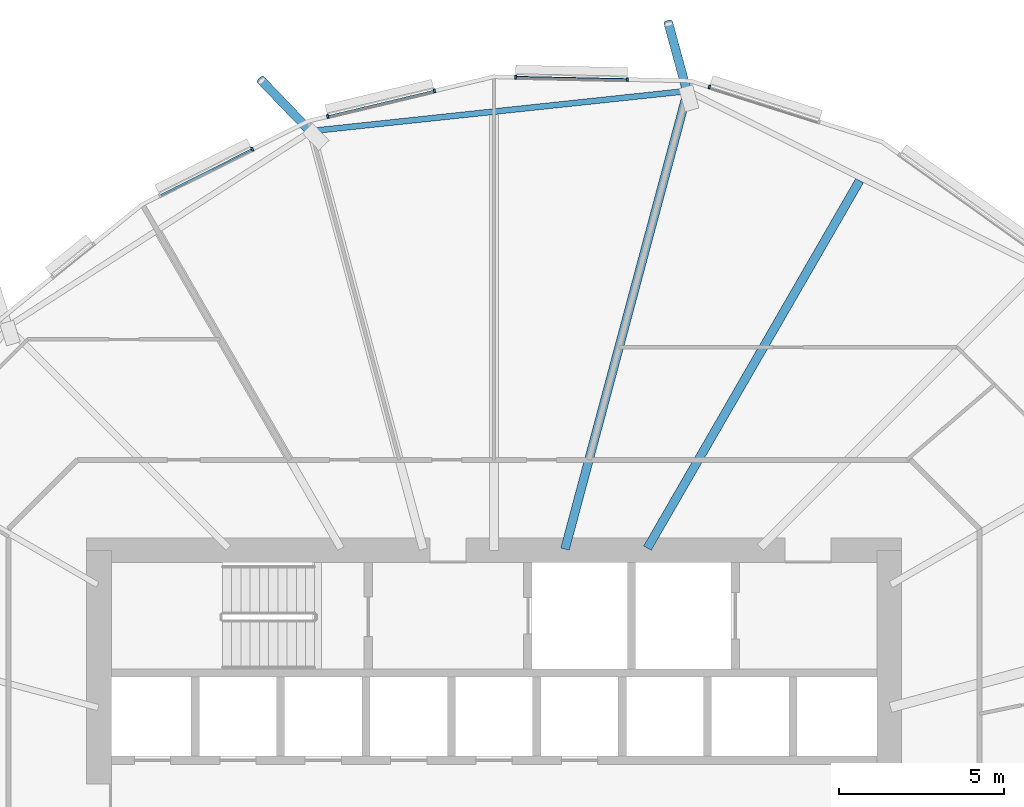
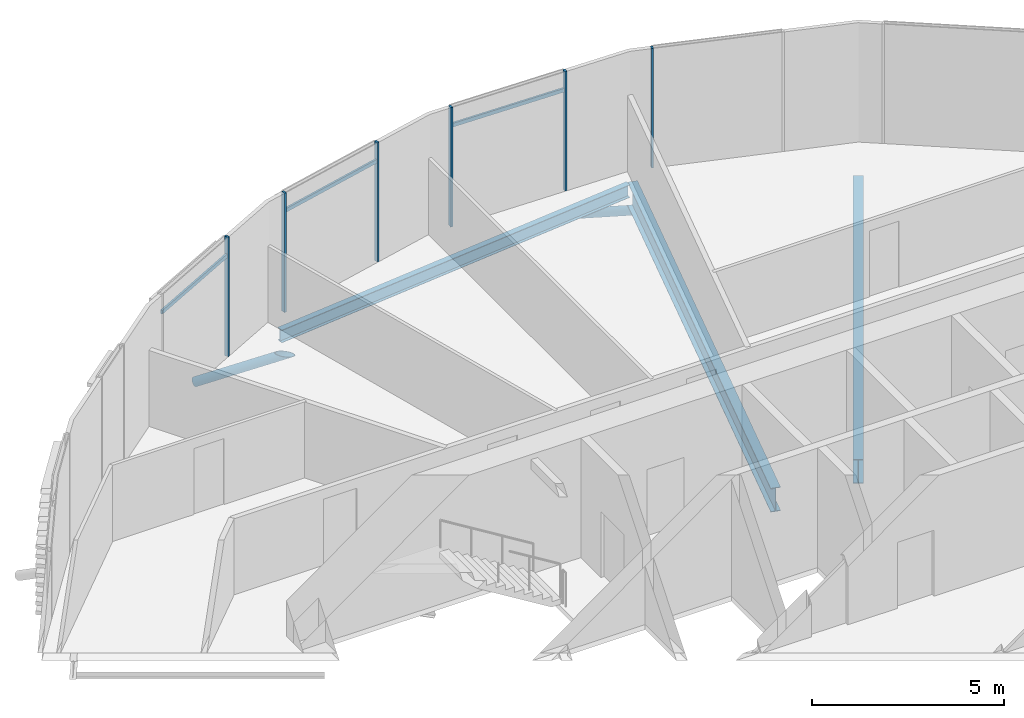
# One storey, part 18 of 43: 11 members, 3 beams, 1 element without a shape of its own.
"""IFC4 building model written with IfcOpenShell, lengths in metres."""

import ifcopenshell
import ifcopenshell.guid

model = None  # the IFC model being written
_history = None  # IfcOwnerHistory: only IFC2X3 demands one
_inside = {}  # id of a spatial element -> (the spatial element, [elements in it])
_under = {}  # id of a project, library or spatial element -> (it, [spatial elements below it])
_declared = {}  # id of a project -> (the project, [libraries it declares])
_typed = {}  # id of a type object -> (the type object, [elements of that type])
_made_of = {}  # id of a material, layer set ... -> (it, [elements and type objects made of it])


def new_model(schema):
    """Start an empty IFC model of exactly this schema.

    Asked for "IFC4X3", IfcOpenShell would pick the latest addendum, in which some entities
    have other attributes; the version numbers below select the first issue.
    IFC2X3 requires an IfcOwnerHistory on every rooted entity: one is made here for all.
    """
    global model, _history
    if schema == "IFC4X3":
        model = ifcopenshell.file(schema_version=(4, 3, 0, 0))
    else:
        model = ifcopenshell.file(schema=schema)
    _inside.clear()
    _under.clear()
    _declared.clear()
    _typed.clear()
    _made_of.clear()
    _history = None
    if model.schema == "IFC2X3":
        org = make("IfcOrganization", Name="unknown")
        user = make(
            "IfcPersonAndOrganization",
            ThePerson=make("IfcPerson", FamilyName="unknown"),
            TheOrganization=org,
        )
        app = make(
            "IfcApplication",
            ApplicationDeveloper=org,
            Version="unknown",
            ApplicationFullName="unknown",
            ApplicationIdentifier="unknown",
        )
        _history = make(
            "IfcOwnerHistory",
            OwningUser=user,
            OwningApplication=app,
            ChangeAction="ADDED",
            CreationDate=0,
        )
    return model


def make(cls, **values):
    """One entity of the class cls with the attributes given. An attribute that is None is left unset."""
    return model.create_entity(
        cls, **{name: value for name, value in values.items() if value is not None}
    )


def rooted(cls, **values):
    """An entity with a GlobalId (a new one), such as an element, a storey or a relation."""
    return make(cls, GlobalId=ifcopenshell.guid.new(), OwnerHistory=_history, **values)


def si_unit(unit_type, name, prefix=None):
    """IfcSIUnit, for example si_unit("LENGTHUNIT", "METRE", prefix="MILLI")."""
    return make("IfcSIUnit", UnitType=unit_type, Prefix=prefix, Name=name)


def assignment(units):
    """IfcUnitAssignment: the units of a project."""
    return None if units is None else make("IfcUnitAssignment", Units=units)


def point(xyz):
    """IfcCartesianPoint."""
    return None if xyz is None else make("IfcCartesianPoint", Coordinates=xyz)


def direction(xyz):
    """IfcDirection."""
    return None if xyz is None else make("IfcDirection", DirectionRatios=xyz)


def frame(location, z_axis=None, x_axis=None):
    """IfcAxis2Placement3D, a coordinate frame: its origin and axes. An axis left out is left unset."""
    return make(
        "IfcAxis2Placement3D",
        Location=point(location),
        Axis=direction(z_axis),
        RefDirection=direction(x_axis),
    )


def frame_2d(location, x_axis=None):
    """IfcAxis2Placement2D, a coordinate frame in the plane: its origin and x axis."""
    return make(
        "IfcAxis2Placement2D", Location=point(location), RefDirection=direction(x_axis)
    )


def origin():
    """The frame at (0, 0, 0) with its axes left unset."""
    return frame((0.0, 0.0, 0.0))


def origin_2d():
    """The frame at (0, 0) in the plane with its x axis left unset."""
    return frame_2d((0.0, 0.0))


def place(relative_to, where):
    """IfcLocalPlacement: puts the frame where relative to a parent placement (None: the world)."""
    return make(
        "IfcLocalPlacement", PlacementRelTo=relative_to, RelativePlacement=where
    )


def context(
    kind, dimensions, precision=None, world=None, true_north=None, identifier=None
):
    """IfcGeometricRepresentationContext, for example the 3D "Model" context."""
    return make(
        "IfcGeometricRepresentationContext",
        ContextIdentifier=identifier,
        ContextType=kind,
        CoordinateSpaceDimension=dimensions,
        Precision=precision,
        WorldCoordinateSystem=world,
        TrueNorth=true_north,
    )


def subcontext(parent, identifier, kind, view, scale=None):
    """IfcGeometricRepresentationSubContext, for example "Body" below "Model"."""
    return make(
        "IfcGeometricRepresentationSubContext",
        ContextIdentifier=identifier,
        ContextType=kind,
        ParentContext=parent,
        TargetScale=scale,
        TargetView=view,
    )


def project(units=None, contexts=None):
    """IfcProject with its units and contexts."""
    return rooted(
        "IfcProject",
        Name="project",
        RepresentationContexts=contexts,
        UnitsInContext=assignment(units),
    )


def spatial(cls, under=None, at=None, **own):
    """A site, building, storey or space (cls), placed at a placement, below another one or the project."""
    s = rooted(cls, ObjectPlacement=at, **own)
    if under is not None:
        _under.setdefault(under.id(), (under, []))[1].append(s)
    return s


def profile(cls, at=None, kind="AREA", **sizes):
    """A parametric profile (cls). Its sizes go by their IFC names, for example OverallWidth=200.0."""
    return make(cls, ProfileType=kind, Position=at, **sizes)


def rectangle(**sizes):
    """IfcRectangleProfileDef."""
    return profile("IfcRectangleProfileDef", **sizes)


def hollow_circle(**sizes):
    """IfcCircleHollowProfileDef."""
    return profile("IfcCircleHollowProfileDef", **sizes)


def i_section(**sizes):
    """IfcIShapeProfileDef."""
    return profile("IfcIShapeProfileDef", **sizes)


def extrude(swept, where, along, depth):
    """IfcExtrudedAreaSolid: the profile swept, set in the frame where, extruded along a direction by depth."""
    return make(
        "IfcExtrudedAreaSolid",
        SweptArea=swept,
        Position=where,
        ExtrudedDirection=direction(along),
        Depth=depth,
    )


def clip(a, b, op="DIFFERENCE"):
    """IfcBooleanClippingResult: the solid a cut by the half space b."""
    return make(
        "IfcBooleanClippingResult", Operator=op, FirstOperand=a, SecondOperand=b
    )


def halfspace(plane, agree):
    """IfcHalfSpaceSolid: all space on one side of the plane z = 0 of the frame plane."""
    return make(
        "IfcHalfSpaceSolid",
        BaseSurface=make("IfcPlane", Position=plane),
        AgreementFlag=agree,
    )


def shape(context_of_items, identifier, shape_type, items):
    """IfcShapeRepresentation: the items that make up one representation, for example the "Body"."""
    return make(
        "IfcShapeRepresentation",
        ContextOfItems=context_of_items,
        RepresentationIdentifier=identifier,
        RepresentationType=shape_type,
        Items=items,
    )


def material(Name=None, Category=None):
    """IfcMaterial."""
    return make("IfcMaterial", Name=Name, Category=Category)


def material_profile(
    of_material, cross_section, Name=None, Category=None, Priority=None
):
    """IfcMaterialProfile: a cross section and its material."""
    return make(
        "IfcMaterialProfile",
        Name=Name,
        Material=of_material,
        Profile=cross_section,
        Priority=Priority,
        Category=Category,
    )


def profile_set(profiles, Name=None, composite=None):
    """IfcMaterialProfileSet."""
    return make(
        "IfcMaterialProfileSet",
        Name=Name,
        MaterialProfiles=profiles,
        CompositeProfile=composite,
    )


def made_of(thing, what):
    """Note that an element or type object is made of a material, layer set ...; save() writes the relation."""
    if what is not None:
        _made_of.setdefault(what.id(), (what, []))[1].append(thing)
    return thing


def type_object(cls, material=None, **own):
    """A type object (cls), such as IfcWallType, which elements share."""
    return made_of(rooted(cls, **own), material)


def element(
    cls,
    number,
    at=None,
    inside=None,
    cuts=None,
    type_object=None,
    material=None,
    context=None,
    identifier="Body",
    shape_type=None,
    held_by="IfcProductDefinitionShape",
    body=None,
    shapes=None,
    **own,
):
    """One element of the class cls, such as IfcWall. Its Tag is "e" and its number.

    at: its placement. inside: the storey or other place that contains it. cuts: it is an
    opening in that element (IfcRelVoidsElement). A single representation is given by context,
    identifier, shape_type and body (its items); several are given by shapes. held_by: the class
    of the entity that holds the representations. save() writes the other relations.
    """
    e = rooted(cls, Tag="e%d" % number, ObjectPlacement=at, **own)
    if body is not None:
        shapes = [shape(context, identifier, shape_type, body)]
    if shapes is not None:
        e.Representation = make(held_by, Representations=shapes)
    if inside is not None:
        _inside.setdefault(inside.id(), (inside, []))[1].append(e)
    if cuts is not None:
        rooted(
            "IfcRelVoidsElement", RelatingBuildingElement=cuts, RelatedOpeningElement=e
        )
    if type_object is not None:
        _typed.setdefault(type_object.id(), (type_object, []))[1].append(e)
    return made_of(e, material)


def aggregate(whole, parts):
    """IfcRelAggregates: a whole, such as a stair, and the parts it consists of."""
    return rooted("IfcRelAggregates", RelatingObject=whole, RelatedObjects=parts)


def save(model, path):
    """Write the relations noted so far, then the file.

    IfcRelAggregates (storeys below a building ...), IfcRelContainedInSpatialStructure (elements
    in a storey), IfcRelDefinesByType, IfcRelAssociatesMaterial and IfcRelDeclares: one each for
    every whole, place, type object, material and project.
    """
    for whole, parts in _under.values():
        aggregate(whole, parts)
    for where, things in _inside.values():
        rooted(
            "IfcRelContainedInSpatialStructure",
            RelatedElements=things,
            RelatingStructure=where,
        )
    for kind, things in _typed.values():
        rooted("IfcRelDefinesByType", RelatedObjects=things, RelatingType=kind)
    for what, things in _made_of.values():
        rooted("IfcRelAssociatesMaterial", RelatedObjects=things, RelatingMaterial=what)
    for by, libraries in _declared.values():
        rooted("IfcRelDeclares", RelatingContext=by, RelatedDefinitions=libraries)
    model.write(path)


model = new_model("IFC4")

# Units and contexts
model_context = context("Model", 3, precision=1e-05, world=origin(), true_north=direction((0.0, 1.0)))
body_context = subcontext(model_context, "Body", "Model", "MODEL_VIEW")
ifc_project = project(units=[si_unit("LENGTHUNIT", "METRE"), si_unit("AREAUNIT", "SQUARE_METRE"), si_unit("VOLUMEUNIT", "CUBIC_METRE"), si_unit("PLANEANGLEUNIT", "RADIAN"), si_unit("MASSUNIT", "GRAM", prefix="KILO")], contexts=[model_context])

# Site, building, storey
site_placement = place(None, origin())
site = spatial("IfcSite", under=ifc_project, at=site_placement, CompositionType="ELEMENT")
building_placement = place(site_placement, origin())
building = spatial("IfcBuilding", under=site, at=building_placement, Name="Rimbun Link Towers", CompositionType="ELEMENT")
storey_placement = place(building_placement, frame((0.0, 0.0, 81.60009765625)))
storey = spatial("IfcBuildingStorey", under=building, at=storey_placement, Name="L19", CompositionType="ELEMENT", Elevation=81.60009765625)

# Curtain wall, members
ifc_material_1 = material(Name="Aluminium 6063-T6 and low-iron glass", Category="aluminium")
curtain_wall_type = type_object("IfcCurtainWallType", Name="CW1-Z2 unitised vision wall (zone 2)", PredefinedType="NOTDEFINED", material=ifc_material_1)
curtain_wall_placement = place(storey_placement, origin())
curtain_wall = element("IfcCurtainWall", 1, at=curtain_wall_placement, inside=storey, type_object=curtain_wall_type, Name="CW1 L19 T2", PredefinedType="NOTDEFINED")
ifc_material_2 = material(Name="Aluminium 6063-T6", Category="aluminium")
ifc_material_profile_1 = material_profile(ifc_material_2, rectangle(XDim=0.1201171875, YDim=0.06005859375, at=origin_2d()), Name="MULLION 60X120")
ifc_profile_set_1 = profile_set([ifc_material_profile_1], Name="Aluminium 6063-T6")
member_type_1 = type_object("IfcMemberType", Name="CW1 mullion 60X120", PredefinedType="MULLION", material=ifc_profile_set_1)
member_1_placement = place(storey_placement, frame((38.289306640625, 22.078369140625, 0.0), z_axis=(0.0, 0.0, 1.0), x_axis=(0.303070142328, 0.952968251743, 0.0)))
member_1 = element("IfcMember", 2, at=member_1_placement, type_object=member_type_1, Name="CW1 mullion", PredefinedType="MULLION", context=body_context, shape_type="SweptSolid", body=[
    extrude(rectangle(XDim=0.1201171875, YDim=0.06005859375, at=origin_2d()), origin(), (0.0, 0.0, 1.0), 3.7998046875),
])
member_2_placement = place(storey_placement, frame((32.401123046875, 22.37451171875, 0.0), z_axis=(0.0, 0.0, 1.0), x_axis=(0.02105663171, 0.999778284552, 0.0)))
member_2 = element("IfcMember", 3, at=member_2_placement, type_object=member_type_1, Name="CW1 mullion", PredefinedType="MULLION", context=body_context, shape_type="SweptSolid", body=[
    extrude(rectangle(XDim=0.1201171875, YDim=0.06005859375, at=origin_2d()), origin(), (0.0, 0.0, 1.0), 3.7998046875),
])
member_3_placement = place(storey_placement, frame((35.801025390625, 22.302978515625, 0.0), z_axis=(0.0, 0.0, 1.0), x_axis=(0.02105663171, 0.999778284552, 0.0)))
member_3 = element("IfcMember", 4, at=member_3_placement, type_object=member_type_1, Name="CW1 mullion", PredefinedType="MULLION", context=body_context, shape_type="SweptSolid", body=[
    extrude(rectangle(XDim=0.1201171875, YDim=0.06005859375, at=origin_2d()), origin(), (0.0, 0.0, 1.0), 3.7998046875),
])
member_4_placement = place(storey_placement, frame((26.697021484375, 21.181640625, 0.0), z_axis=(0.0, 0.0, 1.0), x_axis=(-0.232583884072, 0.972576339867, 0.0)))
member_4 = element("IfcMember", 5, at=member_4_placement, type_object=member_type_1, Name="CW1 mullion", PredefinedType="MULLION", context=body_context, shape_type="SweptSolid", body=[
    extrude(rectangle(XDim=0.1201171875, YDim=0.06005859375, at=origin_2d()), origin(), (0.0, 0.0, 1.0), 3.7998046875),
])
member_5_placement = place(storey_placement, frame((29.936767578125, 21.956298828125, 0.0), z_axis=(0.0, 0.0, 1.0), x_axis=(-0.232583884072, 0.972576339867, 0.0)))
member_5 = element("IfcMember", 6, at=member_5_placement, type_object=member_type_1, Name="CW1 mullion", PredefinedType="MULLION", context=body_context, shape_type="SweptSolid", body=[
    extrude(rectangle(XDim=0.1201171875, YDim=0.06005859375, at=origin_2d()), origin(), (0.0, 0.0, 1.0), 3.7998046875),
])
member_6_placement = place(storey_placement, frame((24.402587890625, 20.1845703125, 0.0), z_axis=(0.0, 0.0, 1.0), x_axis=(-0.448789594585, 0.893637454336, 0.0)))
member_6 = element("IfcMember", 7, at=member_6_placement, type_object=member_type_1, Name="CW1 mullion", PredefinedType="MULLION", context=body_context, shape_type="SweptSolid", body=[
    extrude(rectangle(XDim=0.1201171875, YDim=0.06005859375, at=origin_2d()), origin(), (0.0, 0.0, 1.0), 3.7998046875),
])
ifc_material_3 = material(Name="Aluminium 6063-T6", Category="aluminium")
ifc_material_profile_2 = material_profile(ifc_material_3, rectangle(XDim=0.06005859375, YDim=0.1201171875, at=origin_2d()), Name="TRANSOM 60X120")
ifc_profile_set_2 = profile_set([ifc_material_profile_2], Name="Aluminium 6063-T6")
member_type_2 = type_object("IfcMemberType", Name="CW1 transom 60X120", PredefinedType="USERDEFINED", material=ifc_profile_set_2)
member_7_placement = place(storey_placement, frame((32.43115234375, 22.3720703125, 3.199951171875), z_axis=(0.99977692641, -0.021121018401, 0.0), x_axis=(0.021121018401, 0.99977692641, 0.0)))
member_7 = element("IfcMember", 8, at=member_7_placement, type_object=member_type_2, Name="CW1 transom", ObjectType="TRANSOM", PredefinedType="USERDEFINED", context=body_context, shape_type="SweptSolid", body=[
    extrude(rectangle(XDim=0.06005859375, YDim=0.1201171875, at=origin_2d()), origin(), (0.0, 0.0, 1.0), 3.340576171875),
])
member_8_placement = place(storey_placement, frame((26.7265625, 21.1865234375, 3.199951171875), z_axis=(0.972563842584, 0.2326361367, 0.0), x_axis=(-0.2326361367, 0.972563842584, 0.0)))
member_8 = element("IfcMember", 9, at=member_8_placement, type_object=member_type_2, Name="CW1 transom", ObjectType="TRANSOM", PredefinedType="USERDEFINED", context=body_context, shape_type="SweptSolid", body=[
    extrude(rectangle(XDim=0.06005859375, YDim=0.1201171875, at=origin_2d()), origin(), (0.0, 0.0, 1.0), 3.271240234375),
])
member_9_placement = place(storey_placement, frame((21.63134765625, 18.790771484375, 3.199951171875), z_axis=(0.893647022727, 0.448770541337, 0.0), x_axis=(-0.448770541337, 0.893647022727, 0.0)))
member_9 = element("IfcMember", 10, at=member_9_placement, type_object=member_type_2, Name="CW1 transom", ObjectType="TRANSOM", PredefinedType="USERDEFINED", context=body_context, shape_type="SweptSolid", body=[
    extrude(rectangle(XDim=0.06005859375, YDim=0.1201171875, at=origin_2d()), origin(), (0.0, 0.0, 1.0), 3.072021484375),
])
aggregate(curtain_wall, [member_1, member_2, member_3, member_4, member_5, member_6, member_7, member_8, member_9])

# Members
ifc_material_4 = material(Name="Steel S355J2H", Category="steel")
ifc_material_profile_3 = material_profile(ifc_material_4, hollow_circle(Radius=0.136474609375, WallThickness=0.012451171875, at=origin_2d()), Name="CHS 273x12.5")
ifc_profile_set_3 = profile_set([ifc_material_profile_3], Name="Steel S355J2H")
member_type_3 = type_object("IfcMemberType", Name="Floor edge link CHS 273x12.5", PredefinedType="BRACE", material=ifc_profile_set_3)
member_10_placement = place(storey_placement, frame((37.61962890625, 21.906005859375, -1.041748046875), z_axis=(-0.230893001105, 0.846607670719, -0.479524633278), x_axis=(-0.964763821238, -0.263117405792, 0.0)))
element("IfcMember", 11, at=member_10_placement, inside=storey, type_object=member_type_3, Name="Floor edge link T2 L19 02", PredefinedType="BRACE", context=body_context, shape_type="Clipping", body=[
    clip(extrude(hollow_circle(Radius=0.136474609375, WallThickness=0.012451171875, at=origin_2d()), frame((0.0, 0.0, -0.5205078125)), (0.0, 0.0, 1.0), 3.0390625), halfspace(frame((0.0, 0.0, -0.244873046875), z_axis=(0.0, 0.877528418959, -0.479524633278)), False)),
])
member_11_placement = place(storey_placement, frame((26.206298828125, 20.688720703125, -0.96240234375), z_axis=(-0.605942405164, 0.629721705224, -0.486090912889), x_axis=(-0.720581030435, -0.693370736747, 0.0)))
element("IfcMember", 12, at=member_11_placement, inside=storey, type_object=member_type_3, Name="Floor edge link T2 L19 04", PredefinedType="BRACE", context=body_context, shape_type="Clipping", body=[
    clip(extrude(hollow_circle(Radius=0.136474609375, WallThickness=0.012451171875, at=origin_2d()), frame((0.0, 0.0, -0.511474609375)), (0.0, 0.0, 1.0), 3.06787109375), halfspace(frame((0.0, 0.0, -0.240234375), z_axis=(0.0, 0.873908247133, -0.486090912889)), False)),
])

# Beams
ifc_material_5 = material(Name="Steel S355J2", Category="steel")
ifc_material_profile_4 = material_profile(ifc_material_5, i_section(OverallWidth=0.177978515625, OverallDepth=0.406494140625, WebThickness=0.0078125, FlangeThickness=0.0126953125, at=origin_2d()), Name="UB 406x178x60")
ifc_profile_set_4 = profile_set([ifc_material_profile_4], Name="Steel S355J2")
beam_type_1 = type_object("IfcBeamType", Name="UB 406x178x60", PredefinedType="BEAM", material=ifc_profile_set_4)
beam_1_placement = place(storey_placement, frame((37.489501953125, 21.939208984375, -0.36328125), z_axis=(-0.994384484621, -0.105827674759, 0.0), x_axis=(0.105827674759, -0.994384484621, 0.0)))
element("IfcBeam", 13, at=beam_1_placement, inside=storey, type_object=beam_type_1, Name="Edge beam T2 L19 02-04", PredefinedType="BEAM", context=body_context, shape_type="SweptSolid", body=[
    extrude(i_section(OverallWidth=0.177978515625, OverallDepth=0.406494140625, WebThickness=0.0078125, FlangeThickness=0.0126953125, at=origin_2d()), origin(), (0.0, 0.0, 1.0), 11.230224609375),
])
ifc_material_6 = material(Name="Steel S355J2", Category="steel")
ifc_material_profile_5 = material_profile(ifc_material_6, i_section(OverallWidth=0.2666015625, OverallDepth=0.76220703125, WebThickness=0.014404296875, FlangeThickness=0.021484375, at=origin_2d()), Name="UB 762x267x173")
ifc_profile_set_5 = profile_set([ifc_material_profile_5], Name="Steel S355J2")
beam_type_2 = type_object("IfcBeamType", Name="UB 762x267x173", PredefinedType="BEAM", material=ifc_profile_set_5)
beam_2_placement = place(storey_placement, frame((36.40771484375, 8.0673828125, -0.541259765625), z_axis=(0.500006572533, 0.866021609098, 0.0), x_axis=(-0.866021609098, 0.500006572533, 0.0)))
element("IfcBeam", 14, at=beam_2_placement, inside=storey, type_object=beam_type_2, Name="Radial beam T2 L19 01", PredefinedType="BEAM", context=body_context, shape_type="SweptSolid", body=[
    extrude(i_section(OverallWidth=0.2666015625, OverallDepth=0.76220703125, WebThickness=0.014404296875, FlangeThickness=0.021484375, at=origin_2d()), origin(), (0.0, 0.0, 1.0), 12.892822265625),
])
beam_3_placement = place(storey_placement, frame((33.903076171875, 8.035400390625, -0.541259765625), z_axis=(0.258813996805, 0.965927178962, 0.0), x_axis=(-0.965927178962, 0.258813996805, 0.0)))
element("IfcBeam", 15, at=beam_3_placement, inside=storey, type_object=beam_type_2, Name="Radial beam T2 L19 02", PredefinedType="BEAM", context=body_context, shape_type="SweptSolid", body=[
    extrude(i_section(OverallWidth=0.2666015625, OverallDepth=0.76220703125, WebThickness=0.014404296875, FlangeThickness=0.021484375, at=origin_2d()), origin(), (0.0, 0.0, 1.0), 14.409912109375),
])

save(model, "model.ifc")
